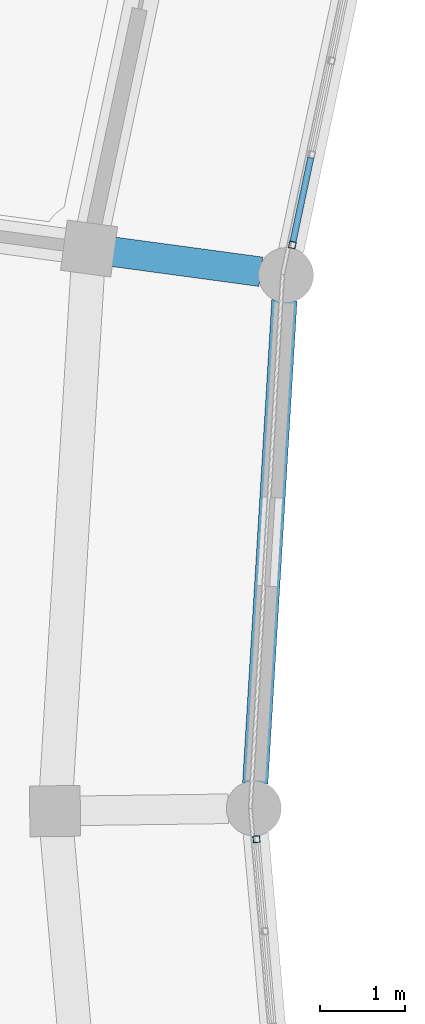
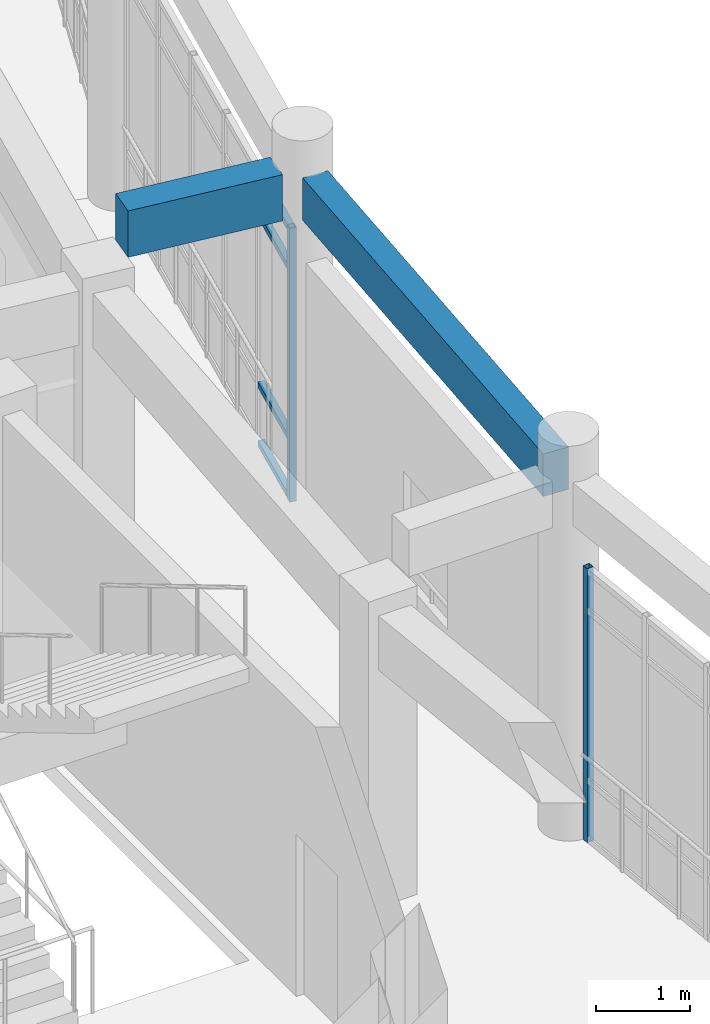
# One storey, part 29 of 159: 6 members, 2 beams, 2 elements without a shape of their own.
"""IFC4 building model written with IfcOpenShell, lengths in metres."""

from ifc_helpers import new_model, si_unit, direction, frame, origin, origin_2d, place, context, subcontext, project, spatial, rectangle, hollow_rectangle, extrude, material, material_profile, profile_set, type_object, element, aggregate, save


model = new_model("IFC4")

# Units and contexts
model_context = context("Model", 3, precision=1e-05, world=origin(), true_north=direction((0.0, 1.0)))
body_context = subcontext(model_context, "Body", "Model", "MODEL_VIEW")
ifc_project = project(units=[si_unit("LENGTHUNIT", "METRE"), si_unit("AREAUNIT", "SQUARE_METRE"), si_unit("VOLUMEUNIT", "CUBIC_METRE"), si_unit("PLANEANGLEUNIT", "RADIAN"), si_unit("MASSUNIT", "GRAM", prefix="KILO")], contexts=[model_context])

# Site, building, storey
site_placement = place(None, origin())
site = spatial("IfcSite", under=ifc_project, at=site_placement, CompositionType="ELEMENT")
building_placement = place(site_placement, origin())
building = spatial("IfcBuilding", under=site, at=building_placement, Name="Celadon Cloister-Ring School", CompositionType="ELEMENT")
storey_placement = place(building_placement, frame((0.0, 0.0, 4.5)))
storey = spatial("IfcBuildingStorey", under=building, at=storey_placement, Name="L01", CompositionType="ELEMENT", Elevation=4.5)

# Beam
ifc_material_1 = material(Name="Concrete C35/45", Category="concrete")
ifc_material_profile_1 = material_profile(ifc_material_1, rectangle(XDim=0.35009765625, YDim=0.60009765625, at=origin_2d()), Name="RC350X600")
ifc_profile_set_1 = profile_set([ifc_material_profile_1], Name="Concrete C35/45")
beam_type_1 = type_object("IfcBeamType", Name="BT-02", PredefinedType="BEAM", material=ifc_profile_set_1)
beam_1_placement = place(storey_placement, frame((42.678955078125, 64.9951171875, 4.35009765625), z_axis=(0.990967747371, -0.134100423829, 0.0), x_axis=(0.134100423829, 0.990967747371, 0.0)))
element("IfcBeam", 1, at=beam_1_placement, inside=storey, type_object=beam_type_1, Name="Beam 0212", PredefinedType="BEAM", context=body_context, shape_type="SweptSolid", body=[
    extrude(rectangle(XDim=0.35009765625, YDim=0.60009765625, at=origin_2d()), origin(), (0.0, 0.0, 1.0), 1.775146484375),
])

# Curtain wall, member
ifc_material_2 = material(Name="Aluminium EN AW-6063 T6", Category="aluminium")
curtain_wall_type = type_object("IfcCurtainWallType", Name="CW-01", PredefinedType="USERDEFINED", material=ifc_material_2)
curtain_wall_1_placement = place(storey_placement, origin())
curtain_wall_1 = element("IfcCurtainWall", 2, at=curtain_wall_1_placement, inside=storey, type_object=curtain_wall_type, Name="Curtain Wall 0024", ObjectType="CURTAIN WALL", PredefinedType="USERDEFINED")
ifc_material_3 = material(Name="Aluminium EN AW-6063 T6", Category="aluminium")
ifc_material_profile_2 = material_profile(ifc_material_3, hollow_rectangle(XDim=0.080078125, YDim=0.080078125, WallThickness=0.00390625, at=origin_2d()), Name="RHS80X80X4")
ifc_profile_set_2 = profile_set([ifc_material_profile_2], Name="Aluminium EN AW-6063 T6")
member_type_1 = type_object("IfcMemberType", Name="CM-03", PredefinedType="MULLION", material=ifc_profile_set_2)
member_1_placement = place(storey_placement, frame((44.810302734375, 65.07421875, 0.0), z_axis=(0.0, 0.0, 1.0), x_axis=(0.978320844999, -0.207094964304, 0.0)))
member_1 = element("IfcMember", 3, at=member_1_placement, type_object=member_type_1, Name="CW-01 mullion 6", PredefinedType="MULLION", context=body_context, shape_type="SweptSolid", body=[
    extrude(hollow_rectangle(XDim=0.080078125, YDim=0.080078125, WallThickness=0.00390625, at=origin_2d()), origin(), (0.0, 0.0, 1.0), 3.550048828125),
])

curtain_wall_2_placement = place(storey_placement, origin())
curtain_wall_2 = element("IfcCurtainWall", 4, at=curtain_wall_2_placement, inside=storey, type_object=curtain_wall_type, Name="Curtain Wall 0025", ObjectType="CURTAIN WALL", PredefinedType="USERDEFINED")
member_2_placement = place(storey_placement, frame((44.386474609375, 58.046142578125, 0.0), z_axis=(0.0, 0.0, 1.0), x_axis=(0.996148002222, 0.087687842199, 0.0)))
member_2 = element("IfcMember", 5, at=member_2_placement, type_object=member_type_1, Name="CW-01 mullion 1", PredefinedType="MULLION", context=body_context, shape_type="SweptSolid", body=[
    extrude(hollow_rectangle(XDim=0.080078125, YDim=0.080078125, WallThickness=0.00390625, at=origin_2d()), origin(), (0.0, 0.0, 1.0), 3.550048828125),
])
aggregate(curtain_wall_2, [member_2])

# Member
ifc_material_4 = material(Name="Aluminium EN AW-6063 T6", Category="aluminium")
ifc_material_profile_3 = material_profile(ifc_material_4, hollow_rectangle(XDim=0.074951171875, YDim=0.074951171875, WallThickness=0.00390625, at=origin_2d()), Name="RHS75X75X4")
ifc_profile_set_3 = profile_set([ifc_material_profile_3], Name="Aluminium EN AW-6063 T6")
member_type_2 = type_object("IfcMemberType", Name="CTM-03", PredefinedType="USERDEFINED", material=ifc_profile_set_3)
member_3_placement = place(storey_placement, frame((45.028564453125, 66.10498046875, 0.03759765625), z_axis=(-0.20712705188, -0.97831405202, 0.0), x_axis=(0.97831405202, -0.20712705188, 0.0)))
member_3 = element("IfcMember", 6, at=member_3_placement, type_object=member_type_2, Name="CW-01 transom 5.1", ObjectType="TRANSOM", PredefinedType="USERDEFINED", context=body_context, shape_type="SweptSolid", body=[
    extrude(hollow_rectangle(XDim=0.074951171875, YDim=0.074951171875, WallThickness=0.00390625, at=origin_2d()), origin(), (0.0, 0.0, 1.0), 1.013671875),
])

member_4_placement = place(storey_placement, frame((45.028564453125, 66.10498046875, 0.800048828125), z_axis=(-0.20712705188, -0.97831405202, 0.0), x_axis=(0.97831405202, -0.20712705188, 0.0)))
member_4 = element("IfcMember", 7, at=member_4_placement, type_object=member_type_2, Name="CW-01 transom 5.2", ObjectType="TRANSOM", PredefinedType="USERDEFINED", context=body_context, shape_type="SweptSolid", body=[
    extrude(hollow_rectangle(XDim=0.074951171875, YDim=0.074951171875, WallThickness=0.00390625, at=origin_2d()), origin(), (0.0, 0.0, 1.0), 1.013671875),
])

member_5_placement = place(storey_placement, frame((45.028564453125, 66.10498046875, 3.0), z_axis=(-0.20712705188, -0.97831405202, 0.0), x_axis=(0.97831405202, -0.20712705188, 0.0)))
member_5 = element("IfcMember", 8, at=member_5_placement, type_object=member_type_2, Name="CW-01 transom 5.3", ObjectType="TRANSOM", PredefinedType="USERDEFINED", context=body_context, shape_type="SweptSolid", body=[
    extrude(hollow_rectangle(XDim=0.074951171875, YDim=0.074951171875, WallThickness=0.00390625, at=origin_2d()), origin(), (0.0, 0.0, 1.0), 1.013671875),
])

member_6_placement = place(storey_placement, frame((45.028564453125, 66.10498046875, 3.512451171875), z_axis=(-0.20712705188, -0.97831405202, 0.0), x_axis=(0.97831405202, -0.20712705188, 0.0)))
member_6 = element("IfcMember", 9, at=member_6_placement, type_object=member_type_2, Name="CW-01 transom 5.4", ObjectType="TRANSOM", PredefinedType="USERDEFINED", context=body_context, shape_type="SweptSolid", body=[
    extrude(hollow_rectangle(XDim=0.074951171875, YDim=0.074951171875, WallThickness=0.00390625, at=origin_2d()), origin(), (0.0, 0.0, 1.0), 1.013671875),
])

aggregate(curtain_wall_1, [member_1, member_3, member_4, member_5, member_6])

# Beam
ifc_material_5 = material(Name="Concrete C35/45", Category="concrete")
ifc_material_profile_4 = material_profile(ifc_material_5, rectangle(XDim=0.300048828125, YDim=0.550048828125, at=origin_2d()), Name="RC300X550")
ifc_profile_set_4 = profile_set([ifc_material_profile_4], Name="Concrete C35/45")
beam_type_2 = type_object("IfcBeamType", Name="SP-02", PredefinedType="SPANDREL", material=ifc_profile_set_4)
beam_2_placement = place(storey_placement, frame((44.717041015625, 64.41796875, 4.375), z_axis=(-0.060315917043, -0.99817933767, 0.0), x_axis=(0.99817933767, -0.060315917043, 0.0)))
element("IfcBeam", 10, at=beam_2_placement, inside=storey, type_object=beam_type_2, Name="Beam 0293", PredefinedType="SPANDREL", context=body_context, shape_type="SweptSolid", body=[
    extrude(rectangle(XDim=0.300048828125, YDim=0.550048828125, at=origin_2d()), origin(), (0.0, 0.0, 1.0), 5.719482421875),
])

save(model, "model.ifc")
